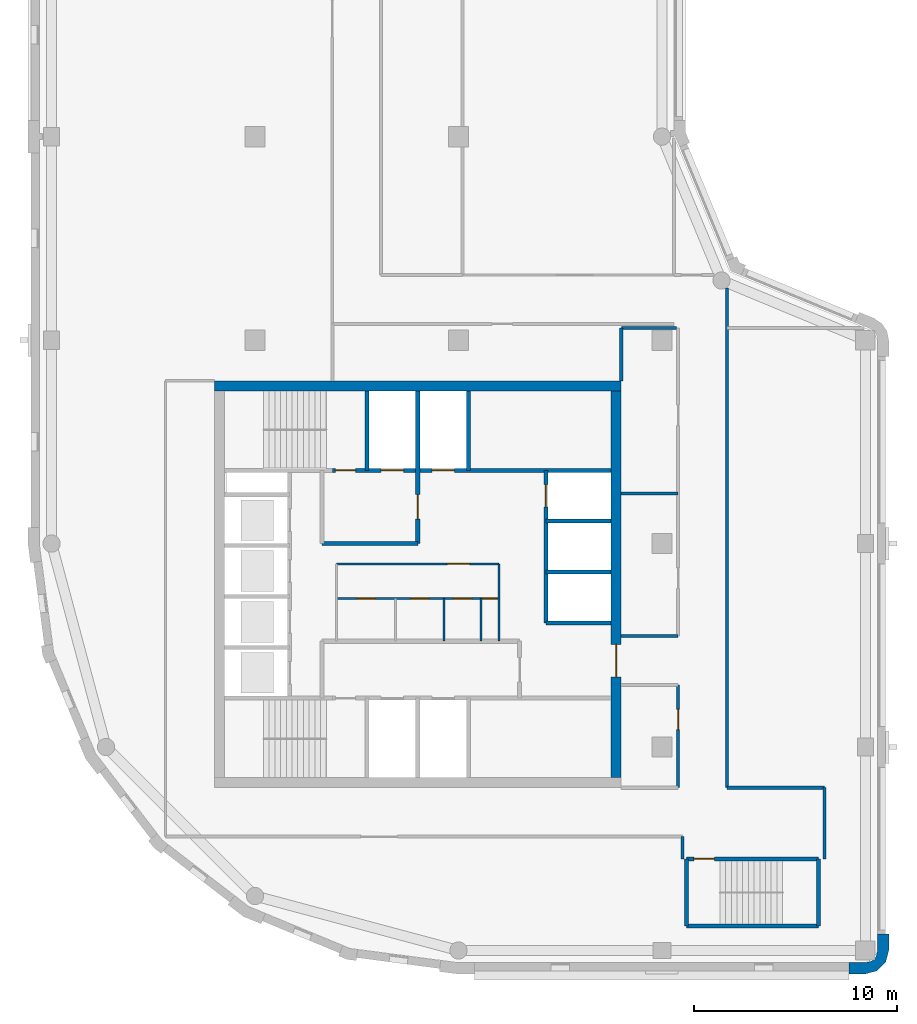
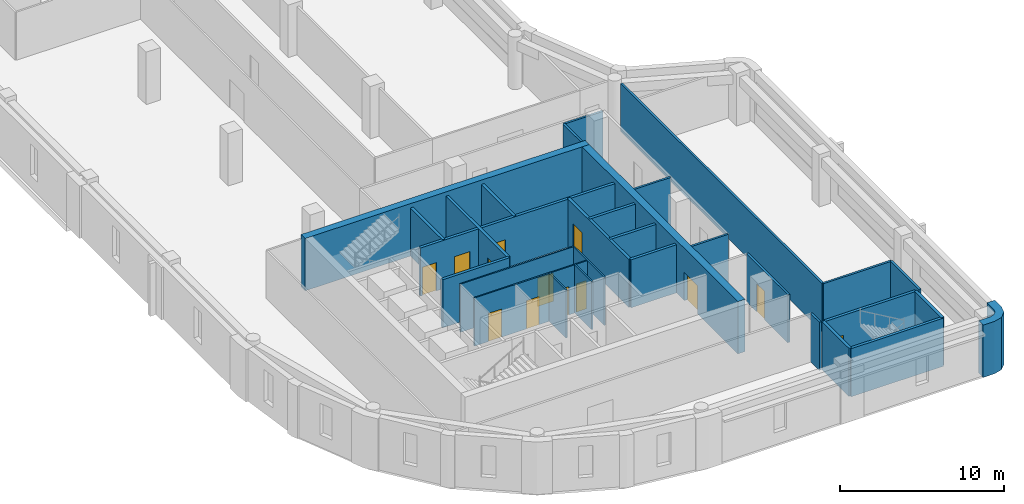
# One storey, part 3 of 8: 30 walls, 13 doors, 13 openings.
"""IFC4 building model written with IfcOpenShell, lengths in metres."""

from ifc_helpers import new_model, si_unit, direction, frame, frame_2d, origin, place, context, subcontext, project, spatial, polyline, rectangle, outline, extrude, material, layer, layer_set, type_object, element, fill, save


model = new_model("IFC4")

# Units and contexts
model_context = context("Model", 3, precision=1e-05, world=origin(), true_north=direction((0.0, 1.0)))
body_context = subcontext(model_context, "Body", "Model", "MODEL_VIEW")
ifc_project = project(units=[si_unit("LENGTHUNIT", "METRE"), si_unit("AREAUNIT", "SQUARE_METRE"), si_unit("VOLUMEUNIT", "CUBIC_METRE"), si_unit("PLANEANGLEUNIT", "RADIAN"), si_unit("MASSUNIT", "GRAM", prefix="KILO")], contexts=[model_context])

# Site, building, storey
site_placement = place(None, origin())
site = spatial("IfcSite", under=ifc_project, at=site_placement, CompositionType="ELEMENT")
building_placement = place(site_placement, origin())
building = spatial("IfcBuilding", under=site, at=building_placement, Name="Qaws Garden Tower", CompositionType="ELEMENT")
storey_placement = place(building_placement, frame((0.0, 0.0, 333.300048828125)))
storey = spatial("IfcBuildingStorey", under=building, at=storey_placement, Name="L81", CompositionType="ELEMENT", Elevation=333.300048828125)

# Wall
ifc_material_1 = material(Name="Clay facing brick masonry", Category="masonry")
ifc_layer_1 = layer(ifc_material_1, 0.550048828125)
ifc_layer_set_1 = layer_set([ifc_layer_1], Name="Clay facing brick masonry")
wall_type_1 = type_object("IfcWallType", Name="Brick corner pier 550 x 2400", PredefinedType="SOLIDWALL", material=ifc_layer_set_1)
wall_1_placement = place(storey_placement, origin())
element("IfcWall", 1, at=wall_1_placement, inside=storey, type_object=wall_type_1, Name="E-L81-pier-02", PredefinedType="SOLIDWALL", context=body_context, shape_type="SweptSolid", body=[
    extrude(outline(polyline([(39.199951171875, -1.0), (39.199951171875, -1.14990234375), (40.0, -1.14990234375), (40.574951171875, -0.995849609375), (40.995849609375, -0.574951171875), (41.14990234375, 0.0), (41.14990234375, 0.800048828125), (41.0, 0.800048828125), (40.60009765625, 0.800048828125), (40.60009765625, 0.0), (40.51953125, -0.300048828125), (40.300048828125, -0.51953125), (40.0, -0.60009765625), (39.199951171875, -0.60009765625), (39.199951171875, -1.0)])), origin(), (0.0, 0.0, 1.0), 3.89990234375),
])

# Wall, openings, doors
ifc_material_2 = material(Name="Plasterboard")
ifc_layer_2 = layer(ifc_material_2, 0.10009765625)
ifc_layer_set_2 = layer_set([ifc_layer_2], Name="Plasterboard")
wall_type_2 = type_object("IfcWallType", Name="Core partition 100", PredefinedType="PARTITIONING", material=ifc_layer_set_2)
wall_2_placement = place(storey_placement, frame((14.0, 17.300048828125, 0.0), z_axis=(0.0, 0.0, 1.0), x_axis=(1.0, 0.0, 0.0)))
wall_2 = element("IfcWall", 2, at=wall_2_placement, inside=storey, type_object=wall_type_2, Name="Core partition", PredefinedType="PARTITIONING", context=body_context, shape_type="SweptSolid", body=[
    extrude(rectangle(XDim=8.0, YDim=0.10009765625, at=frame_2d((4.0, 0.0))), origin(), (0.0, 0.0, 1.0), 3.579833984375),
])
opening_1_placement = place(wall_2_placement, frame((1.0, 0.0, 0.0)))
opening_1 = element("IfcOpeningElement", 3, at=opening_1_placement, cuts=wall_2, Name="Opening WD18", PredefinedType="OPENING", context=body_context, shape_type="SweptSolid", body=[
    extrude(rectangle(XDim=0.89990234375, YDim=2.10009765625, at=frame_2d((0.449951171875, 1.050048828125))), frame((0.0, 0.06005859375, 0.0), z_axis=(0.0, -1.0, 0.0), x_axis=(1.0, 0.0, 0.0)), (0.0, 0.0, 1.0), 0.1201171875),
])
opening_2_placement = place(wall_2_placement, frame((3.64990234375, 0.0, 0.0)))
opening_2 = element("IfcOpeningElement", 4, at=opening_2_placement, cuts=wall_2, Name="Opening WD19", PredefinedType="OPENING", context=body_context, shape_type="SweptSolid", body=[
    extrude(rectangle(XDim=0.89990234375, YDim=2.10009765625, at=frame_2d((0.449951171875, 1.050048828125))), frame((0.0, 0.06005859375, 0.0), z_axis=(0.0, -1.0, 0.0), x_axis=(1.0, 0.0, 0.0)), (0.0, 0.0, 1.0), 0.1201171875),
])
opening_3_placement = place(wall_2_placement, frame((5.75, 0.0, 0.0)))
opening_3 = element("IfcOpeningElement", 5, at=opening_3_placement, cuts=wall_2, Name="Opening WD20", PredefinedType="OPENING", context=body_context, shape_type="SweptSolid", body=[
    extrude(rectangle(XDim=0.89990234375, YDim=2.10009765625, at=frame_2d((0.449951171875, 1.050048828125))), frame((0.0, 0.06005859375, 0.0), z_axis=(0.0, -1.0, 0.0), x_axis=(1.0, 0.0, 0.0)), (0.0, 0.0, 1.0), 0.1201171875),
])
opening_4_placement = place(wall_2_placement, frame((7.199951171875, 0.0, 0.0)))
opening_4 = element("IfcOpeningElement", 6, at=opening_4_placement, cuts=wall_2, Name="Opening XD21", PredefinedType="OPENING", context=body_context, shape_type="SweptSolid", body=[
    extrude(rectangle(XDim=0.699951171875, YDim=2.10009765625, at=frame_2d((0.35009765625, 1.050048828125))), frame((0.0, 0.06005859375, 0.0), z_axis=(0.0, -1.0, 0.0), x_axis=(1.0, 0.0, 0.0)), (0.0, 0.0, 1.0), 0.1201171875),
])
ifc_material_3 = material(Name="Timber", Category="wood")
door_type_1 = type_object("IfcDoorType", Name="Store door 700x2100", OperationType="SINGLE_SWING_LEFT", PredefinedType="DOOR", material=ifc_material_3)
door_1_placement = place(opening_4_placement, frame((0.699951171875, 0.0, 0.0), z_axis=(0.0, 0.0, 1.0), x_axis=(-1.0, 0.0, 0.0)))
door_1 = element("IfcDoor", 7, at=door_1_placement, inside=storey, type_object=door_type_1, Name="Cleaner's store door", OperationType="SINGLE_SWING_LEFT", OverallHeight=2.10009765625, OverallWidth=0.699951171875, PredefinedType="DOOR", context=body_context, shape_type="SweptSolid", body=[
    extrude(rectangle(XDim=0.699951171875, YDim=2.10009765625, at=frame_2d((0.35009765625, 1.050048828125))), frame((0.0, 0.02490234375, 0.0), z_axis=(0.0, -1.0, 0.0), x_axis=(1.0, 0.0, 0.0)), (0.0, 0.0, 1.0), 0.050048828125),
])
fill(opening_4, door_1)
ifc_material_4 = material(Name="Timber", Category="wood")
door_type_2 = type_object("IfcDoorType", Name="WC door 900x2100", OperationType="SINGLE_SWING_LEFT", PredefinedType="DOOR", material=ifc_material_4)
door_2_placement = place(opening_1_placement, frame((0.89990234375, 0.0, 0.0), z_axis=(0.0, 0.0, 1.0), x_axis=(-1.0, 0.0, 0.0)))
door_2 = element("IfcDoor", 8, at=door_2_placement, inside=storey, type_object=door_type_2, Name="Women's WC door", OperationType="SINGLE_SWING_LEFT", OverallHeight=2.10009765625, OverallWidth=0.89990234375, PredefinedType="DOOR", context=body_context, shape_type="SweptSolid", body=[
    extrude(rectangle(XDim=0.89990234375, YDim=2.10009765625, at=frame_2d((0.449951171875, 1.050048828125))), frame((0.0, 0.02490234375, 0.0), z_axis=(0.0, -1.0, 0.0), x_axis=(1.0, 0.0, 0.0)), (0.0, 0.0, 1.0), 0.050048828125),
])
fill(opening_1, door_2)
door_3_placement = place(opening_2_placement, frame((0.89990234375, 0.0, 0.0), z_axis=(0.0, 0.0, 1.0), x_axis=(-1.0, 0.0, 0.0)))
door_3 = element("IfcDoor", 9, at=door_3_placement, inside=storey, type_object=door_type_2, Name="Men's WC door", OperationType="SINGLE_SWING_LEFT", OverallHeight=2.10009765625, OverallWidth=0.89990234375, PredefinedType="DOOR", context=body_context, shape_type="SweptSolid", body=[
    extrude(rectangle(XDim=0.89990234375, YDim=2.10009765625, at=frame_2d((0.449951171875, 1.050048828125))), frame((0.0, 0.02490234375, 0.0), z_axis=(0.0, -1.0, 0.0), x_axis=(1.0, 0.0, 0.0)), (0.0, 0.0, 1.0), 0.050048828125),
])
fill(opening_2, door_3)
door_4_placement = place(opening_3_placement, frame((0.89990234375, 0.0, 0.0), z_axis=(0.0, 0.0, 1.0), x_axis=(-1.0, 0.0, 0.0)))
door_4 = element("IfcDoor", 10, at=door_4_placement, inside=storey, type_object=door_type_2, Name="Accessible WC door", OperationType="SINGLE_SWING_LEFT", OverallHeight=2.10009765625, OverallWidth=0.89990234375, PredefinedType="DOOR", context=body_context, shape_type="SweptSolid", body=[
    extrude(rectangle(XDim=0.89990234375, YDim=2.10009765625, at=frame_2d((0.449951171875, 1.050048828125))), frame((0.0, 0.02490234375, 0.0), z_axis=(0.0, -1.0, 0.0), x_axis=(1.0, 0.0, 0.0)), (0.0, 0.0, 1.0), 0.050048828125),
])
fill(opening_3, door_4)

# Wall, opening, door
wall_3_placement = place(storey_placement, frame((14.0, 19.0, 0.0), z_axis=(0.0, 0.0, 1.0), x_axis=(1.0, 0.0, 0.0)))
wall_3 = element("IfcWall", 11, at=wall_3_placement, inside=storey, type_object=wall_type_2, Name="Core partition", PredefinedType="PARTITIONING", context=body_context, shape_type="SweptSolid", body=[
    extrude(rectangle(XDim=8.0, YDim=0.10009765625, at=frame_2d((4.0, 0.0))), origin(), (0.0, 0.0, 1.0), 3.579833984375),
])
opening_5_placement = place(wall_3_placement, frame((5.449951171875, 0.0, 0.0)))
opening_5 = element("IfcOpeningElement", 12, at=opening_5_placement, cuts=wall_3, Name="Opening WL17", PredefinedType="OPENING", context=body_context, shape_type="SweptSolid", body=[
    extrude(rectangle(XDim=1.10009765625, YDim=2.10009765625, at=frame_2d((0.550048828125, 1.050048828125))), frame((0.0, 0.06005859375, 0.0), z_axis=(0.0, -1.0, 0.0), x_axis=(1.0, 0.0, 0.0)), (0.0, 0.0, 1.0), 0.1201171875),
])
ifc_material_5 = material(Name="Timber", Category="wood")
door_type_3 = type_object("IfcDoorType", Name="WC lobby door 1100x2100", OperationType="SINGLE_SWING_LEFT", PredefinedType="DOOR", material=ifc_material_5)
door_5_placement = place(opening_5_placement, frame((1.10009765625, 0.0, 0.0), z_axis=(0.0, 0.0, 1.0), x_axis=(-1.0, 0.0, 0.0)))
door_5 = element("IfcDoor", 13, at=door_5_placement, inside=storey, type_object=door_type_3, Name="WC lobby door", OperationType="SINGLE_SWING_LEFT", OverallHeight=2.10009765625, OverallWidth=1.10009765625, PredefinedType="DOOR", context=body_context, shape_type="SweptSolid", body=[
    extrude(rectangle(XDim=1.10009765625, YDim=2.10009765625, at=frame_2d((0.550048828125, 1.050048828125))), frame((0.0, 0.02490234375, 0.0), z_axis=(0.0, -1.0, 0.0), x_axis=(1.0, 0.0, 0.0)), (0.0, 0.0, 1.0), 0.050048828125),
])
fill(opening_5, door_5)

# Walls
for number, where, z_axis, x_axis, name in (
    (14, (19.300048828125, 15.199951171875, 0.0), (0.0, 0.0, 1.0), (0.0, 1.0, 0.0), "Core partition"),
    (15, (21.10009765625, 15.199951171875, 0.0), (0.0, 0.0, 1.0), (0.0, 1.0, 0.0), "Core partition"),
):
    element("IfcWall", number, at=place(storey_placement, frame(where, z_axis=z_axis, x_axis=x_axis)), inside=storey, type_object=wall_type_2, Name=name, PredefinedType="PARTITIONING", context=body_context, shape_type="SweptSolid", body=[
        extrude(rectangle(XDim=2.10009765625, YDim=0.10009765625, at=frame_2d((1.050048828125, 0.0))), origin(), (0.0, 0.0, 1.0), 3.579833984375),
    ])
wall_4_placement = place(storey_placement, frame((22.0, 15.199951171875, 0.0), z_axis=(0.0, 0.0, 1.0), x_axis=(0.0, 1.0, 0.0)))
element("IfcWall", 16, at=wall_4_placement, inside=storey, type_object=wall_type_2, Name="Core partition", PredefinedType="PARTITIONING", context=body_context, shape_type="SweptSolid", body=[
    extrude(rectangle(XDim=3.800048828125, YDim=0.10009765625, at=frame_2d((1.89990234375, 0.0))), origin(), (0.0, 0.0, 1.0), 3.579833984375),
])
ifc_material_6 = material(Name="Concrete C60", Category="concrete")
ifc_layer_3 = layer(ifc_material_6, 0.199951171875)
ifc_layer_set_3 = layer_set([ifc_layer_3], Name="Concrete C60")
wall_type_3 = type_object("IfcWallType", Name="Core shaft wall 200 C60", PredefinedType="SHEAR", material=ifc_layer_set_3)
wall_5_placement = place(storey_placement, frame((31.199951171875, 1.199951171875, 0.0), z_axis=(0.0, 0.0, 1.0), x_axis=(1.0, 0.0, 0.0)))
element("IfcWall", 17, at=wall_5_placement, inside=storey, type_object=wall_type_3, Name="Shaft wall", PredefinedType="SHEAR", context=body_context, shape_type="SweptSolid", body=[
    extrude(rectangle(XDim=6.5, YDim=0.199951171875, at=frame_2d((3.25, 0.0))), origin(), (0.0, 0.0, 1.0), 3.579833984375),
])

# Wall, opening, door
wall_6_placement = place(storey_placement, frame((31.199951171875, 4.5, 0.0), z_axis=(0.0, 0.0, 1.0), x_axis=(1.0, 0.0, 0.0)))
wall_6 = element("IfcWall", 18, at=wall_6_placement, inside=storey, type_object=wall_type_3, Name="Shaft wall", PredefinedType="SHEAR", context=body_context, shape_type="SweptSolid", body=[
    extrude(rectangle(XDim=6.5, YDim=0.199951171875, at=frame_2d((3.25, 0.0))), origin(), (0.0, 0.0, 1.0), 3.579833984375),
])
opening_6_placement = place(wall_6_placement, frame((0.375, 0.0, 0.0)))
opening_6 = element("IfcOpeningElement", 19, at=opening_6_placement, cuts=wall_6, Name="Opening SD12", PredefinedType="OPENING", context=body_context, shape_type="SweptSolid", body=[
    extrude(rectangle(XDim=1.0, YDim=2.10009765625, at=frame_2d((0.5, 1.050048828125))), frame((0.0, 0.10986328125, 0.0), z_axis=(0.0, -1.0, 0.0), x_axis=(1.0, 0.0, 0.0)), (0.0, 0.0, 1.0), 0.219970703125),
])
ifc_material_7 = material(Name="Steel S235", Category="steel")
door_type_4 = type_object("IfcDoorType", Name="Stair door 1000x2100", OperationType="SINGLE_SWING_RIGHT", PredefinedType="DOOR", material=ifc_material_7)
door_6_placement = place(opening_6_placement, frame((1.0, 0.0, 0.0), z_axis=(0.0, 0.0, 1.0), x_axis=(-1.0, 0.0, 0.0)))
door_6 = element("IfcDoor", 20, at=door_6_placement, inside=storey, type_object=door_type_4, Name="Stair 5 door", OperationType="SINGLE_SWING_RIGHT", OverallHeight=2.10009765625, OverallWidth=1.0, PredefinedType="DOOR", context=body_context, shape_type="SweptSolid", body=[
    extrude(rectangle(XDim=1.0, YDim=2.10009765625, at=frame_2d((0.5, 1.050048828125))), frame((0.0, 0.02490234375, 0.0), z_axis=(0.0, -1.0, 0.0), x_axis=(1.0, 0.0, 0.0)), (0.0, 0.0, 1.0), 0.050048828125),
])
fill(opening_6, door_6)

# Walls
for number, where, z_axis, x_axis, name in (
    (21, (24.300048828125, 16.10009765625, 0.0), (0.0, 0.0, 1.0), (1.0, 0.0, 0.0), "Shaft wall"),
    (22, (24.300048828125, 18.60009765625, 0.0), (0.0, 0.0, 1.0), (1.0, 0.0, 0.0), "Shaft wall"),
):
    element("IfcWall", number, at=place(storey_placement, frame(where, z_axis=z_axis, x_axis=x_axis)), inside=storey, type_object=wall_type_3, Name=name, PredefinedType="SHEAR", context=body_context, shape_type="SweptSolid", body=[
        extrude(rectangle(XDim=3.199951171875, YDim=0.199951171875, at=frame_2d((1.60009765625, 0.0))), origin(), (0.0, 0.0, 1.0), 3.579833984375),
    ])
wall_7_placement = place(storey_placement, frame((13.300048828125, 20.0, 0.0), z_axis=(0.0, 0.0, 1.0), x_axis=(1.0, 0.0, 0.0)))
element("IfcWall", 23, at=wall_7_placement, inside=storey, type_object=wall_type_3, Name="Shaft wall", PredefinedType="SHEAR", context=body_context, shape_type="SweptSolid", body=[
    extrude(rectangle(XDim=4.699951171875, YDim=0.199951171875, at=frame_2d((2.35009765625, 0.0))), origin(), (0.0, 0.0, 1.0), 3.579833984375),
])
wall_8_placement = place(storey_placement, frame((24.300048828125, 21.10009765625, 0.0), z_axis=(0.0, 0.0, 1.0), x_axis=(1.0, 0.0, 0.0)))
element("IfcWall", 24, at=wall_8_placement, inside=storey, type_object=wall_type_3, Name="Shaft wall", PredefinedType="SHEAR", context=body_context, shape_type="SweptSolid", body=[
    extrude(rectangle(XDim=3.199951171875, YDim=0.199951171875, at=frame_2d((1.60009765625, 0.0))), origin(), (0.0, 0.0, 1.0), 3.579833984375),
])

# Wall, openings, doors
wall_9_placement = place(storey_placement, frame((13.800048828125, 23.60009765625, 0.0), z_axis=(0.0, 0.0, 1.0), x_axis=(1.0, 0.0, 0.0)))
wall_9 = element("IfcWall", 25, at=wall_9_placement, inside=storey, type_object=wall_type_3, Name="Shaft wall", PredefinedType="SHEAR", context=body_context, shape_type="SweptSolid", body=[
    extrude(rectangle(XDim=13.699951171875, YDim=0.199951171875, at=frame_2d((6.85009765625, 0.0))), origin(), (0.0, 0.0, 1.0), 3.579833984375),
])
opening_7_placement = place(wall_9_placement, frame((2.39990234375, 0.0, 0.0)))
opening_7 = element("IfcOpeningElement", 26, at=opening_7_placement, cuts=wall_9, Name="Opening LD08", PredefinedType="OPENING", context=body_context, shape_type="SweptSolid", body=[
    extrude(rectangle(XDim=1.10009765625, YDim=2.10009765625, at=frame_2d((0.550048828125, 1.050048828125))), frame((0.0, 0.10986328125, 0.0), z_axis=(0.0, -1.0, 0.0), x_axis=(1.0, 0.0, 0.0)), (0.0, 0.0, 1.0), 0.219970703125),
])
opening_8_placement = place(wall_9_placement, frame((4.89990234375, 0.0, 0.0)))
opening_8 = element("IfcOpeningElement", 27, at=opening_8_placement, cuts=wall_9, Name="Opening LD09", PredefinedType="OPENING", context=body_context, shape_type="SweptSolid", body=[
    extrude(rectangle(XDim=1.10009765625, YDim=2.10009765625, at=frame_2d((0.550048828125, 1.050048828125))), frame((0.0, 0.10986328125, 0.0), z_axis=(0.0, -1.0, 0.0), x_axis=(1.0, 0.0, 0.0)), (0.0, 0.0, 1.0), 0.219970703125),
])
opening_9_placement = place(wall_9_placement, frame((0.14990234375, 0.0, 0.0)))
opening_9 = element("IfcOpeningElement", 28, at=opening_9_placement, cuts=wall_9, Name="Opening SD11", PredefinedType="OPENING", context=body_context, shape_type="SweptSolid", body=[
    extrude(rectangle(XDim=1.0, YDim=2.10009765625, at=frame_2d((0.5, 1.050048828125))), frame((0.0, 0.10986328125, 0.0), z_axis=(0.0, -1.0, 0.0), x_axis=(1.0, 0.0, 0.0)), (0.0, 0.0, 1.0), 0.219970703125),
])
ifc_material_8 = material(Name="Steel S235", Category="steel")
door_type_5 = type_object("IfcDoorType", Name="Landing door 1100x2100", OperationType="DOUBLE_DOOR_SLIDING", PredefinedType="DOOR", material=ifc_material_8)
door_7_placement = place(opening_7_placement, origin())
door_7 = element("IfcDoor", 29, at=door_7_placement, inside=storey, type_object=door_type_5, Name="Lift FF3 landing door", OperationType="DOUBLE_DOOR_SLIDING", OverallHeight=2.10009765625, OverallWidth=1.10009765625, PredefinedType="DOOR", context=body_context, shape_type="SweptSolid", body=[
    extrude(rectangle(XDim=1.10009765625, YDim=2.10009765625, at=frame_2d((0.550048828125, 1.050048828125))), frame((0.0, 0.02490234375, 0.0), z_axis=(0.0, -1.0, 0.0), x_axis=(1.0, 0.0, 0.0)), (0.0, 0.0, 1.0), 0.050048828125),
])
fill(opening_7, door_7)
door_8_placement = place(opening_8_placement, origin())
door_8 = element("IfcDoor", 30, at=door_8_placement, inside=storey, type_object=door_type_5, Name="Lift SV2 landing door", OperationType="DOUBLE_DOOR_SLIDING", OverallHeight=2.10009765625, OverallWidth=1.10009765625, PredefinedType="DOOR", context=body_context, shape_type="SweptSolid", body=[
    extrude(rectangle(XDim=1.10009765625, YDim=2.10009765625, at=frame_2d((0.550048828125, 1.050048828125))), frame((0.0, 0.02490234375, 0.0), z_axis=(0.0, -1.0, 0.0), x_axis=(1.0, 0.0, 0.0)), (0.0, 0.0, 1.0), 0.050048828125),
])
fill(opening_8, door_8)
door_9_placement = place(opening_9_placement, origin())
door_9 = element("IfcDoor", 31, at=door_9_placement, inside=storey, type_object=door_type_4, Name="Stair 4 door", OperationType="SINGLE_SWING_RIGHT", OverallHeight=2.10009765625, OverallWidth=1.0, PredefinedType="DOOR", context=body_context, shape_type="SweptSolid", body=[
    extrude(rectangle(XDim=1.0, YDim=2.10009765625, at=frame_2d((0.5, 1.050048828125))), frame((0.0, 0.02490234375, 0.0), z_axis=(0.0, -1.0, 0.0), x_axis=(1.0, 0.0, 0.0)), (0.0, 0.0, 1.0), 0.050048828125),
])
fill(opening_9, door_9)

# Wall
wall_10_placement = place(storey_placement, frame((15.5, 23.60009765625, 0.0), z_axis=(0.0, 0.0, 1.0), x_axis=(0.0, 1.0, 0.0)))
element("IfcWall", 32, at=wall_10_placement, inside=storey, type_object=wall_type_3, Name="Shaft wall", PredefinedType="SHEAR", context=body_context, shape_type="SweptSolid", body=[
    extrude(rectangle(XDim=3.89990234375, YDim=0.199951171875, at=frame_2d((1.949951171875, 0.0))), origin(), (0.0, 0.0, 1.0), 3.579833984375),
])

# Wall, opening, door
wall_11_placement = place(storey_placement, frame((18.0, 20.0, 0.0), z_axis=(0.0, 0.0, 1.0), x_axis=(0.0, 1.0, 0.0)))
wall_11 = element("IfcWall", 33, at=wall_11_placement, inside=storey, type_object=wall_type_3, Name="Shaft wall", PredefinedType="SHEAR", context=body_context, shape_type="SweptSolid", body=[
    extrude(rectangle(XDim=7.5, YDim=0.199951171875, at=frame_2d((3.75, 0.0))), origin(), (0.0, 0.0, 1.0), 3.579833984375),
])
opening_10_placement = place(wall_11_placement, frame((1.199951171875, 0.0, 0.0)))
opening_10 = element("IfcOpeningElement", 34, at=opening_10_placement, cuts=wall_11, Name="Opening FD16", PredefinedType="OPENING", context=body_context, shape_type="SweptSolid", body=[
    extrude(rectangle(XDim=1.199951171875, YDim=2.10009765625, at=frame_2d((0.60009765625, 1.050048828125))), frame((0.0, 0.10986328125, 0.0), z_axis=(0.0, -1.0, 0.0), x_axis=(1.0, 0.0, 0.0)), (0.0, 0.0, 1.0), 0.219970703125),
])
ifc_material_9 = material(Name="Steel S235", Category="steel")
door_type_6 = type_object("IfcDoorType", Name="Lobby door 1200x2100", OperationType="DOUBLE_DOOR_SINGLE_SWING", PredefinedType="DOOR", material=ifc_material_9)
door_10_placement = place(opening_10_placement, origin())
door_10 = element("IfcDoor", 35, at=door_10_placement, inside=storey, type_object=door_type_6, Name="Fire-fighting lobby door", OperationType="DOUBLE_DOOR_SINGLE_SWING", OverallHeight=2.10009765625, OverallWidth=1.199951171875, PredefinedType="DOOR", context=body_context, shape_type="SweptSolid", body=[
    extrude(rectangle(XDim=1.199951171875, YDim=2.10009765625, at=frame_2d((0.60009765625, 1.050048828125))), frame((0.0, 0.02490234375, 0.0), z_axis=(0.0, -1.0, 0.0), x_axis=(1.0, 0.0, 0.0)), (0.0, 0.0, 1.0), 0.050048828125),
])
fill(opening_10, door_10)

# Wall
wall_12_placement = place(storey_placement, frame((20.5, 23.60009765625, 0.0), z_axis=(0.0, 0.0, 1.0), x_axis=(0.0, 1.0, 0.0)))
element("IfcWall", 36, at=wall_12_placement, inside=storey, type_object=wall_type_3, Name="Shaft wall", PredefinedType="SHEAR", context=body_context, shape_type="SweptSolid", body=[
    extrude(rectangle(XDim=3.89990234375, YDim=0.199951171875, at=frame_2d((1.949951171875, 0.0))), origin(), (0.0, 0.0, 1.0), 3.579833984375),
])

# Wall, opening, door
wall_13_placement = place(storey_placement, frame((24.300048828125, 16.10009765625, 0.0), z_axis=(0.0, 0.0, 1.0), x_axis=(0.0, 1.0, 0.0)))
wall_13 = element("IfcWall", 37, at=wall_13_placement, inside=storey, type_object=wall_type_3, Name="Shaft wall", PredefinedType="SHEAR", context=body_context, shape_type="SweptSolid", body=[
    extrude(rectangle(XDim=7.5, YDim=0.199951171875, at=frame_2d((3.75, 0.0))), origin(), (0.0, 0.0, 1.0), 3.579833984375),
])
opening_11_placement = place(wall_13_placement, frame((5.699951171875, 0.0, 0.0)))
opening_11 = element("IfcOpeningElement", 38, at=opening_11_placement, cuts=wall_13, Name="Opening LD05", PredefinedType="OPENING", context=body_context, shape_type="SweptSolid", body=[
    extrude(rectangle(XDim=1.10009765625, YDim=2.10009765625, at=frame_2d((0.550048828125, 1.050048828125))), frame((0.0, 0.10986328125, 0.0), z_axis=(0.0, -1.0, 0.0), x_axis=(1.0, 0.0, 0.0)), (0.0, 0.0, 1.0), 0.219970703125),
])
door_11_placement = place(opening_11_placement, origin())
door_11 = element("IfcDoor", 39, at=door_11_placement, inside=storey, type_object=door_type_5, Name="Lift E3 landing door", OperationType="DOUBLE_DOOR_SLIDING", OverallHeight=2.10009765625, OverallWidth=1.10009765625, PredefinedType="DOOR", context=body_context, shape_type="SweptSolid", body=[
    extrude(rectangle(XDim=1.10009765625, YDim=2.10009765625, at=frame_2d((0.550048828125, 1.050048828125))), frame((0.0, 0.02490234375, 0.0), z_axis=(0.0, -1.0, 0.0), x_axis=(1.0, 0.0, 0.0)), (0.0, 0.0, 1.0), 0.050048828125),
])
fill(opening_11, door_11)

# Walls
for number, where, z_axis, x_axis, name in (
    (40, (31.199951171875, 1.199951171875, 0.0), (0.0, 0.0, 1.0), (0.0, 1.0, 0.0), "Shaft wall"),
    (41, (37.699951171875, 1.199951171875, 0.0), (0.0, 0.0, 1.0), (0.0, 1.0, 0.0), "Shaft wall"),
):
    element("IfcWall", number, at=place(storey_placement, frame(where, z_axis=z_axis, x_axis=x_axis)), inside=storey, type_object=wall_type_3, Name=name, PredefinedType="SHEAR", context=body_context, shape_type="SweptSolid", body=[
        extrude(rectangle(XDim=3.300048828125, YDim=0.199951171875, at=frame_2d((1.64990234375, 0.0))), origin(), (0.0, 0.0, 1.0), 3.579833984375),
    ])

# Wall, opening, door
ifc_material_10 = material(Name="Concrete C60", Category="concrete")
ifc_layer_4 = layer(ifc_material_10, 0.5)
ifc_layer_set_4 = layer_set([ifc_layer_4], Name="Concrete C60")
wall_type_4 = type_object("IfcWallType", Name="Core wall 500 C60", PredefinedType="SHEAR", material=ifc_layer_set_4)
wall_14_placement = place(storey_placement, frame((27.75, 8.5, 0.0), z_axis=(0.0, 0.0, 1.0), x_axis=(0.0, 1.0, 0.0)))
wall_14 = element("IfcWall", 42, at=wall_14_placement, inside=storey, type_object=wall_type_4, Name="Core wall L81 east", PredefinedType="SHEAR", context=body_context, shape_type="SweptSolid", body=[
    extrude(rectangle(XDim=19.0, YDim=0.5, at=frame_2d((9.5, 0.0))), origin(), (0.0, 0.0, 1.0), 3.89990234375),
])
opening_12_placement = place(wall_14_placement, frame((4.949951171875, 0.0, 0.0)))
opening_12 = element("IfcOpeningElement", 43, at=opening_12_placement, cuts=wall_14, Name="Opening ED22", PredefinedType="OPENING", context=body_context, shape_type="SweptSolid", body=[
    extrude(rectangle(XDim=1.60009765625, YDim=2.10009765625, at=frame_2d((0.800048828125, 1.050048828125))), frame((0.0, 0.260009765625, 0.0), z_axis=(0.0, -1.0, 0.0), x_axis=(1.0, 0.0, 0.0)), (0.0, 0.0, 1.0), 0.52001953125),
])
ifc_material_11 = material(Name="Steel S235", Category="steel")
door_type_7 = type_object("IfcDoorType", Name="Core entrance door 1600x2100", OperationType="DOUBLE_DOOR_SINGLE_SWING", PredefinedType="DOOR", material=ifc_material_11)
door_12_placement = place(opening_12_placement, origin())
door_12 = element("IfcDoor", 44, at=door_12_placement, inside=storey, type_object=door_type_7, Name="Core entrance door", OperationType="DOUBLE_DOOR_SINGLE_SWING", OverallHeight=2.10009765625, OverallWidth=1.60009765625, PredefinedType="DOOR", context=body_context, shape_type="SweptSolid", body=[
    extrude(rectangle(XDim=1.60009765625, YDim=2.10009765625, at=frame_2d((0.800048828125, 1.050048828125))), frame((0.0, 0.02490234375, 0.0), z_axis=(0.0, -1.0, 0.0), x_axis=(1.0, 0.0, 0.0)), (0.0, 0.0, 1.0), 0.050048828125),
])
fill(opening_12, door_12)

# Walls
wall_15_placement = place(storey_placement, frame((28.0, 27.75, 0.0), z_axis=(0.0, 0.0, 1.0), x_axis=(-1.0, 0.0, 0.0)))
element("IfcWall", 45, at=wall_15_placement, inside=storey, type_object=wall_type_4, Name="Core wall L81 north", PredefinedType="SHEAR", context=body_context, shape_type="SweptSolid", body=[
    extrude(rectangle(XDim=20.0, YDim=0.5, at=frame_2d((10.0, 0.0))), origin(), (0.0, 0.0, 1.0), 3.89990234375),
])
ifc_material_12 = material(Name="Gypsum board partition")
ifc_layer_5 = layer(ifc_material_12, 0.14990234375)
ifc_layer_set_5 = layer_set([ifc_layer_5], Name="Gypsum board partition")
wall_type_5 = type_object("IfcWallType", Name="PARTITION 150 EI 60", PredefinedType="PARTITIONING", material=ifc_layer_set_5)
wall_16_placement = place(storey_placement, frame((28.0, 28.0, 0.0), z_axis=(0.0, 0.0, 1.0), x_axis=(0.0, 1.0, 0.0)))
element("IfcWall", 46, at=wall_16_placement, inside=storey, type_object=wall_type_5, Name="O-L81-wall-008", PredefinedType="PARTITIONING", context=body_context, shape_type="SweptSolid", body=[
    extrude(rectangle(XDim=2.597900390625, YDim=0.14990234375, at=frame_2d((1.298828125, 0.0))), origin(), (0.0, 0.0, 1.0), 3.579833984375),
])

# Wall, opening, door
wall_17_placement = place(storey_placement, frame((30.800048828125, 8.0, 0.0), z_axis=(0.0, 0.0, 1.0), x_axis=(0.0, 1.0, 0.0)))
wall_17 = element("IfcWall", 47, at=wall_17_placement, inside=storey, type_object=wall_type_5, Name="O-L81-wall-010", PredefinedType="PARTITIONING", context=body_context, shape_type="SweptSolid", body=[
    extrude(rectangle(XDim=5.050048828125, YDim=0.14990234375, at=frame_2d((2.52490234375, 0.0))), origin(), (0.0, 0.0, 1.0), 3.579833984375),
])
opening_13_placement = place(wall_17_placement, frame((2.85009765625, 0.0, 0.0)))
opening_13 = element("IfcOpeningElement", 48, at=opening_13_placement, cuts=wall_17, Name="Opening C905", PredefinedType="OPENING", context=body_context, shape_type="SweptSolid", body=[
    extrude(rectangle(XDim=1.0, YDim=2.10009765625, at=frame_2d((0.5, 1.050048828125))), frame((0.0, 0.0849609375, 0.0), z_axis=(0.0, -1.0, 0.0), x_axis=(1.0, 0.0, 0.0)), (0.0, 0.0, 1.0), 0.169921875),
])
ifc_material_13 = material(Name="Timber door leaf", Category="wood")
door_type_8 = type_object("IfcDoorType", Name="TENANCY ENTRANCE DOOR 1000 X 2100", OperationType="SINGLE_SWING_LEFT", PredefinedType="DOOR", material=ifc_material_13)
door_13_placement = place(opening_13_placement, origin())
door_13 = element("IfcDoor", 49, at=door_13_placement, inside=storey, type_object=door_type_8, Name="O-L81-door-005", OperationType="SINGLE_SWING_RIGHT", OverallHeight=2.10009765625, OverallWidth=1.0, PredefinedType="DOOR", context=body_context, shape_type="SweptSolid", body=[
    extrude(rectangle(XDim=1.0, YDim=2.10009765625, at=frame_2d((0.5, 1.050048828125))), frame((0.0, 0.02490234375, 0.0), z_axis=(0.0, -1.0, 0.0), x_axis=(1.0, 0.0, 0.0)), (0.0, 0.0, 1.0), 0.050048828125),
])
fill(opening_13, door_13)

# Walls
wall_18_placement = place(storey_placement, frame((31.0, 4.5, 0.0), z_axis=(0.0, 0.0, 1.0), x_axis=(0.0, 1.0, 0.0)))
element("IfcWall", 50, at=wall_18_placement, inside=storey, type_object=wall_type_5, Name="O-L81-wall-012", PredefinedType="PARTITIONING", context=body_context, shape_type="SweptSolid", body=[
    extrude(rectangle(XDim=1.10009765625, YDim=0.14990234375, at=frame_2d((0.550048828125, 0.0))), origin(), (0.0, 0.0, 1.0), 3.579833984375),
])
wall_19_placement = place(storey_placement, frame((33.199951171875, 8.0, 0.0), z_axis=(0.0, 0.0, 1.0), x_axis=(0.0, 1.0, 0.0)))
element("IfcWall", 51, at=wall_19_placement, inside=storey, type_object=wall_type_5, Name="O-L81-wall-013", PredefinedType="PARTITIONING", context=body_context, shape_type="SweptSolid", body=[
    extrude(rectangle(XDim=24.552001953125, YDim=0.14990234375, at=frame_2d((12.27587890625, 0.0))), origin(), (0.0, 0.0, 1.0), 3.579833984375),
])
wall_20_placement = place(storey_placement, frame((38.0, 4.5, 0.0), z_axis=(0.0, 0.0, 1.0), x_axis=(0.0, 1.0, 0.0)))
element("IfcWall", 52, at=wall_20_placement, inside=storey, type_object=wall_type_5, Name="O-L81-wall-014", PredefinedType="PARTITIONING", context=body_context, shape_type="SweptSolid", body=[
    extrude(rectangle(XDim=3.5, YDim=0.14990234375, at=frame_2d((1.75, 0.0))), origin(), (0.0, 0.0, 1.0), 3.579833984375),
])
wall_21_placement = place(storey_placement, frame((33.199951171875, 8.0, 0.0), z_axis=(0.0, 0.0, 1.0), x_axis=(1.0, 0.0, 0.0)))
element("IfcWall", 53, at=wall_21_placement, inside=storey, type_object=wall_type_5, Name="O-L81-wall-017", PredefinedType="PARTITIONING", context=body_context, shape_type="SweptSolid", body=[
    extrude(rectangle(XDim=4.800048828125, YDim=0.14990234375, at=frame_2d((2.39990234375, 0.0))), origin(), (0.0, 0.0, 1.0), 3.579833984375),
])
for number, where, z_axis, x_axis, name in (
    (54, (28.0, 15.449951171875, 0.0), (0.0, 0.0, 1.0), (1.0, 0.0, 0.0), "O-L81-wall-019"),
    (55, (28.0, 22.449951171875, 0.0), (0.0, 0.0, 1.0), (1.0, 0.0, 0.0), "O-L81-wall-020"),
):
    element("IfcWall", number, at=place(storey_placement, frame(where, z_axis=z_axis, x_axis=x_axis)), inside=storey, type_object=wall_type_5, Name=name, PredefinedType="PARTITIONING", context=body_context, shape_type="SweptSolid", body=[
        extrude(rectangle(XDim=2.800048828125, YDim=0.14990234375, at=frame_2d((1.39990234375, 0.0))), origin(), (0.0, 0.0, 1.0), 3.579833984375),
    ])
wall_22_placement = place(storey_placement, frame((28.001953125, 30.60009765625, 0.0), z_axis=(0.0, 0.0, 1.0), x_axis=(1.0, 0.0, 0.0)))
element("IfcWall", 56, at=wall_22_placement, inside=storey, type_object=wall_type_5, Name="O-L81-wall-021", PredefinedType="PARTITIONING", context=body_context, shape_type="SweptSolid", body=[
    extrude(rectangle(XDim=2.72314453125, YDim=0.14990234375, at=frame_2d((1.361572265625, 0.0))), origin(), (0.0, 0.0, 1.0), 3.579833984375),
])

save(model, "model.ifc")
